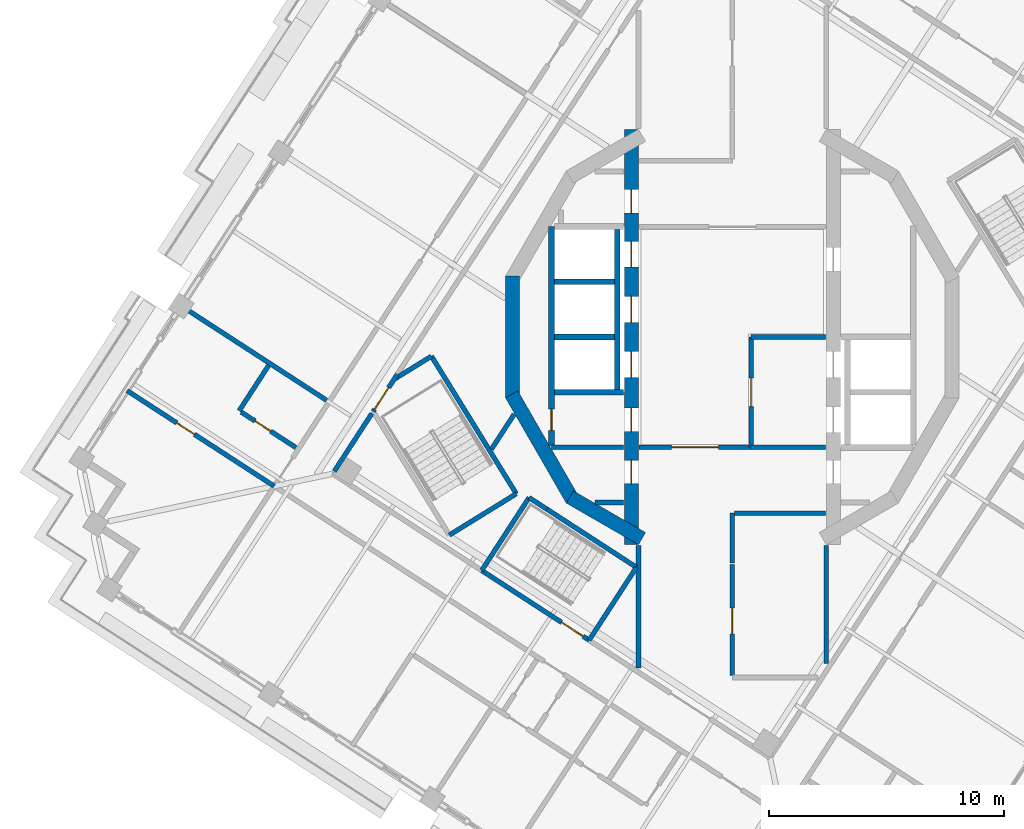
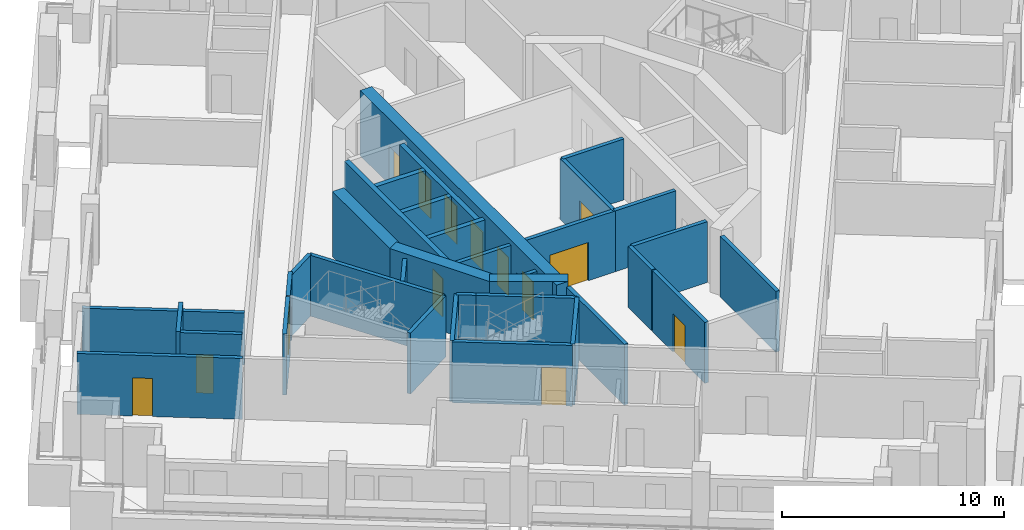
# One storey, part 5 of 15: 35 walls, 14 doors, 14 openings.
"""IFC4 building model written with IfcOpenShell, lengths in metres."""

from ifc_helpers import new_model, si_unit, direction, frame, frame_2d, origin, place, context, subcontext, project, spatial, rectangle, extrude, material, layer, layer_set, type_object, element, fill, save


model = new_model("IFC4")

# Units and contexts
model_context = context("Model", 3, precision=1e-05, world=origin(), true_north=direction((0.0, 1.0)))
body_context = subcontext(model_context, "Body", "Model", "MODEL_VIEW")
ifc_project = project(units=[si_unit("LENGTHUNIT", "METRE"), si_unit("AREAUNIT", "SQUARE_METRE"), si_unit("VOLUMEUNIT", "CUBIC_METRE"), si_unit("PLANEANGLEUNIT", "RADIAN"), si_unit("MASSUNIT", "GRAM", prefix="KILO")], contexts=[model_context])

# Site, building, storey
site_placement = place(None, origin())
site = spatial("IfcSite", under=ifc_project, at=site_placement, CompositionType="ELEMENT")
building_placement = place(site_placement, origin())
building = spatial("IfcBuilding", under=site, at=building_placement, Name="Cantera Rosa Tower", CompositionType="ELEMENT")
storey_placement = place(building_placement, frame((0.0, 0.0, 272.10009765625)))
storey = spatial("IfcBuildingStorey", under=building, at=storey_placement, Name="L61", CompositionType="ELEMENT", Elevation=272.10009765625)

# Walls
ifc_material_1 = material(Name="Gypsum board partition")
ifc_layer_1 = layer(ifc_material_1, 0.199951171875)
ifc_layer_set_1 = layer_set([ifc_layer_1], Name="CORRIDOR WALL 200 H3350")
wall_type_1 = type_object("IfcWallType", Name="CORRIDOR WALL 200 H3350", PredefinedType="PARTITIONING", material=ifc_layer_set_1)
wall_1_placement = place(storey_placement, frame((-15.349853515625, -3.256103515625, 0.0), z_axis=(0.0, 0.0, 1.0), x_axis=(-0.544576607641, -0.838711105453, 0.0)))
element("IfcWall", 1, at=wall_1_placement, inside=storey, type_object=wall_type_1, Name="CORRIDOR WALL L61-009", PredefinedType="PARTITIONING", context=body_context, shape_type="SweptSolid", body=[
    extrude(rectangle(XDim=2.939208984375, YDim=0.199951171875, at=frame_2d((1.4697265625, 0.0))), origin(), (0.0, 0.0, 1.0), 3.349853515625),
])
wall_2_placement = place(storey_placement, frame((-4.0, -14.09423828125, 0.0), z_axis=(0.0, 0.0, 1.0), x_axis=(0.0, 1.0, 0.0)))
element("IfcWall", 2, at=wall_2_placement, inside=storey, type_object=wall_type_1, Name="CORRIDOR WALL L61-043", PredefinedType="PARTITIONING", context=body_context, shape_type="SweptSolid", body=[
    extrude(rectangle(XDim=5.21533203125, YDim=0.199951171875, at=frame_2d((2.607666015625, 0.0))), origin(), (0.0, 0.0, 1.0), 3.349853515625),
])

# Wall, opening, door
wall_3_placement = place(storey_placement, frame((0.0, -9.689208984375, 0.0), z_axis=(0.0, 0.0, 1.0), x_axis=(0.0, -1.0, 0.0)))
wall_3 = element("IfcWall", 3, at=wall_3_placement, inside=storey, type_object=wall_type_1, Name="CORRIDOR WALL L61-055", PredefinedType="PARTITIONING", context=body_context, shape_type="SweptSolid", body=[
    extrude(rectangle(XDim=4.730712890625, YDim=0.199951171875, at=frame_2d((2.365234375, 0.0))), origin(), (0.0, 0.0, 1.0), 3.349853515625),
])
opening_1_placement = place(wall_3_placement, frame((1.85546875, 0.0, 0.0)))
opening_1 = element("IfcOpeningElement", 4, at=opening_1_placement, cuts=wall_3, Name="Opening L61-014", PredefinedType="OPENING", context=body_context, shape_type="SweptSolid", body=[
    extrude(rectangle(XDim=1.10009765625, YDim=2.10009765625, at=frame_2d((0.550048828125, 1.050048828125))), frame((0.0, 0.10986328125, 0.0), z_axis=(0.0, -1.0, 0.0), x_axis=(1.0, 0.0, 0.0)), (0.0, 0.0, 1.0), 0.219970703125),
])
ifc_material_2 = material(Name="Timber door leaf", Category="wood")
door_type_1 = type_object("IfcDoorType", Name="ROOM DOOR 1100x2100", OperationType="NOTDEFINED", PredefinedType="DOOR", material=ifc_material_2)
door_1_placement = place(opening_1_placement, origin())
door_1 = element("IfcDoor", 5, at=door_1_placement, inside=storey, type_object=door_type_1, Name="DOOR L61-014", OperationType="NOTDEFINED", OverallHeight=2.10009765625, OverallWidth=1.10009765625, PredefinedType="DOOR", context=body_context, shape_type="SweptSolid", body=[
    extrude(rectangle(XDim=1.10009765625, YDim=2.10009765625, at=frame_2d((0.550048828125, 1.050048828125))), frame((0.0, 0.02490234375, 0.0), z_axis=(0.0, -1.0, 0.0), x_axis=(1.0, 0.0, 0.0)), (0.0, 0.0, 1.0), 0.050048828125),
])
fill(opening_1, door_1)

# Wall
wall_4_placement = place(storey_placement, frame((0.0, -7.5, 0.0), z_axis=(0.0, 0.0, 1.0), x_axis=(0.0, -1.0, 0.0)))
element("IfcWall", 6, at=wall_4_placement, inside=storey, type_object=wall_type_1, Name="CORRIDOR WALL L61-056", PredefinedType="PARTITIONING", context=body_context, shape_type="SweptSolid", body=[
    extrude(rectangle(XDim=2.12939453125, YDim=0.199951171875, at=frame_2d((1.064697265625, 0.0))), origin(), (0.0, 0.0, 1.0), 3.349853515625),
])

# Wall, opening, door
wall_5_placement = place(storey_placement, frame((0.800048828125, -4.699951171875, 0.0), z_axis=(0.0, 0.0, 1.0), x_axis=(-1.0, 0.0, 0.0)))
wall_5 = element("IfcWall", 7, at=wall_5_placement, inside=storey, type_object=wall_type_1, Name="CORRIDOR WALL L61-060", PredefinedType="PARTITIONING", context=body_context, shape_type="SweptSolid", body=[
    extrude(rectangle(XDim=4.77001953125, YDim=0.199951171875, at=frame_2d((2.385009765625, 0.0))), origin(), (0.0, 0.0, 1.0), 3.349853515625),
])
opening_2_placement = place(wall_5_placement, frame((1.39990234375, 0.0, 0.0)))
opening_2 = element("IfcOpeningElement", 8, at=opening_2_placement, cuts=wall_5, Name="Opening L61-011", PredefinedType="OPENING", context=body_context, shape_type="SweptSolid", body=[
    extrude(rectangle(XDim=2.0, YDim=2.10009765625, at=frame_2d((1.0, 1.050048828125))), frame((0.0, 0.10986328125, 0.0), z_axis=(0.0, -1.0, 0.0), x_axis=(1.0, 0.0, 0.0)), (0.0, 0.0, 1.0), 0.219970703125),
])
ifc_material_3 = material(Name="Steel S355J2 (EN 10025-2)", Category="steel")
door_type_2 = type_object("IfcDoorType", Name="LOBBY SCREEN DOOR 2000x2100", OperationType="NOTDEFINED", PredefinedType="DOOR", material=ifc_material_3)
door_2_placement = place(opening_2_placement, origin())
door_2 = element("IfcDoor", 9, at=door_2_placement, inside=storey, type_object=door_type_2, Name="DOOR L61-011", OperationType="NOTDEFINED", OverallHeight=2.10009765625, OverallWidth=2.0, PredefinedType="DOOR", context=body_context, shape_type="SweptSolid", body=[
    extrude(rectangle(XDim=2.0, YDim=2.10009765625, at=frame_2d((1.0, 1.050048828125))), frame((0.0, 0.02490234375, 0.0), z_axis=(0.0, -1.0, 0.0), x_axis=(1.0, 0.0, 0.0)), (0.0, 0.0, 1.0), 0.050048828125),
])
fill(opening_2, door_2)

# Wall
wall_6_placement = place(storey_placement, frame((3.969970703125, -7.5, 0.0), z_axis=(0.0, 0.0, 1.0), x_axis=(-1.0, 0.0, 0.0)))
element("IfcWall", 10, at=wall_6_placement, inside=storey, type_object=wall_type_1, Name="CORRIDOR WALL L61-066", PredefinedType="PARTITIONING", context=body_context, shape_type="SweptSolid", body=[
    extrude(rectangle(XDim=3.869873046875, YDim=0.199951171875, at=frame_2d((1.93505859375, 0.0))), origin(), (0.0, 0.0, 1.0), 3.349853515625),
])

# Wall, opening, door
ifc_material_4 = material(Name="Gypsum board partition")
ifc_layer_2 = layer(ifc_material_4, 0.199951171875)
ifc_layer_set_2 = layer_set([ifc_layer_2], Name="PARTITION 200 H3350")
wall_type_2 = type_object("IfcWallType", Name="PARTITION 200 H3350", PredefinedType="PARTITIONING", material=ifc_layer_set_2)
wall_7_placement = place(storey_placement, frame((-25.770751953125, -2.282470703125, 0.0), z_axis=(0.0, 0.0, 1.0), x_axis=(0.838662331082, -0.544651718463, 0.0)))
wall_7 = element("IfcWall", 11, at=wall_7_placement, inside=storey, type_object=wall_type_2, Name="PARTITION L61-001", PredefinedType="PARTITIONING", context=body_context, shape_type="SweptSolid", body=[
    extrude(rectangle(XDim=7.47021484375, YDim=0.199951171875, at=frame_2d((3.735107421875, 0.0))), origin(), (0.0, 0.0, 1.0), 3.349853515625),
])
opening_3_placement = place(wall_7_placement, frame((2.52001953125, 0.0, 0.0)))
opening_3 = element("IfcOpeningElement", 12, at=opening_3_placement, cuts=wall_7, Name="Opening L61-031", PredefinedType="OPENING", context=body_context, shape_type="SweptSolid", body=[
    extrude(rectangle(XDim=0.89990234375, YDim=2.10009765625, at=frame_2d((0.449951171875, 1.050048828125))), frame((0.0, 0.10986328125, 0.0), z_axis=(0.0, -1.0, 0.0), x_axis=(1.0, 0.0, 0.0)), (0.0, 0.0, 1.0), 0.219970703125),
])
ifc_material_5 = material(Name="Timber door leaf", Category="wood")
door_type_3 = type_object("IfcDoorType", Name="ROOM DOOR 900x2100", OperationType="NOTDEFINED", PredefinedType="DOOR", material=ifc_material_5)
door_3_placement = place(opening_3_placement, origin())
door_3 = element("IfcDoor", 13, at=door_3_placement, inside=storey, type_object=door_type_3, Name="DOOR L61-031", OperationType="NOTDEFINED", OverallHeight=2.10009765625, OverallWidth=0.89990234375, PredefinedType="DOOR", context=body_context, shape_type="SweptSolid", body=[
    extrude(rectangle(XDim=0.89990234375, YDim=2.10009765625, at=frame_2d((0.449951171875, 1.050048828125))), frame((0.0, 0.02490234375, 0.0), z_axis=(0.0, -1.0, 0.0), x_axis=(1.0, 0.0, 0.0)), (0.0, 0.0, 1.0), 0.050048828125),
])
fill(opening_3, door_3)

# Wall
wall_8_placement = place(storey_placement, frame((-20.997802734375, -3.140380859375, 0.0), z_axis=(0.0, 0.0, 1.0), x_axis=(0.544566653292, 0.838717568745, 0.0)))
element("IfcWall", 14, at=wall_8_placement, inside=storey, type_object=wall_type_2, Name="PARTITION L61-002", PredefinedType="PARTITIONING", context=body_context, shape_type="SweptSolid", body=[
    extrude(rectangle(XDim=2.2998046875, YDim=0.199951171875, at=frame_2d((1.14990234375, 0.0))), origin(), (0.0, 0.0, 1.0), 3.349853515625),
])

# Wall, opening, door
wall_9_placement = place(storey_placement, frame((-18.58251953125, -4.708984375, 0.0), z_axis=(0.0, 0.0, 1.0), x_axis=(-0.838664250698, 0.5446487626, 0.0)))
wall_9 = element("IfcWall", 15, at=wall_9_placement, inside=storey, type_object=wall_type_2, Name="PARTITION L61-005", PredefinedType="PARTITIONING", context=body_context, shape_type="SweptSolid", body=[
    extrude(rectangle(XDim=2.780029296875, YDim=0.199951171875, at=frame_2d((1.39013671875, 0.0))), origin(), (0.0, 0.0, 1.0), 3.349853515625),
])
opening_4_placement = place(wall_9_placement, frame((1.280029296875, 0.0, 0.0)))
opening_4 = element("IfcOpeningElement", 16, at=opening_4_placement, cuts=wall_9, Name="Opening L61-030", PredefinedType="OPENING", context=body_context, shape_type="SweptSolid", body=[
    extrude(rectangle(XDim=0.800048828125, YDim=2.10009765625, at=frame_2d((0.39990234375, 1.050048828125))), frame((0.0, 0.10986328125, 0.0), z_axis=(0.0, -1.0, 0.0), x_axis=(1.0, 0.0, 0.0)), (0.0, 0.0, 1.0), 0.219970703125),
])
ifc_material_6 = material(Name="Timber door leaf", Category="wood")
door_type_4 = type_object("IfcDoorType", Name="BATHROOM DOOR 800x2100", OperationType="NOTDEFINED", PredefinedType="DOOR", material=ifc_material_6)
door_4_placement = place(opening_4_placement, origin())
door_4 = element("IfcDoor", 17, at=door_4_placement, inside=storey, type_object=door_type_4, Name="DOOR L61-030", OperationType="NOTDEFINED", OverallHeight=2.10009765625, OverallWidth=0.800048828125, PredefinedType="DOOR", context=body_context, shape_type="SweptSolid", body=[
    extrude(rectangle(XDim=0.800048828125, YDim=2.10009765625, at=frame_2d((0.39990234375, 1.050048828125))), frame((0.0, 0.02490234375, 0.0), z_axis=(0.0, -1.0, 0.0), x_axis=(1.0, 0.0, 0.0)), (0.0, 0.0, 1.0), 0.050048828125),
])
fill(opening_4, door_4)

# Walls
wall_10_placement = place(storey_placement, frame((-9.289794921875, -3.288330078125, 0.0), z_axis=(0.0, 0.0, 1.0), x_axis=(-0.544602939067, -0.838694007824, 0.0)))
element("IfcWall", 18, at=wall_10_placement, inside=storey, type_object=wall_type_2, Name="PARTITION L61-019", PredefinedType="PARTITIONING", context=body_context, shape_type="SweptSolid", body=[
    extrude(rectangle(XDim=1.781494140625, YDim=0.199951171875, at=frame_2d((0.890625, 0.0))), origin(), (0.0, 0.0, 1.0), 3.349853515625),
])
wall_11_placement = place(storey_placement, frame((-7.699951171875, -4.699951171875, 0.0), z_axis=(0.0, 0.0, 1.0), x_axis=(1.0, 0.0, 0.0)))
element("IfcWall", 19, at=wall_11_placement, inside=storey, type_object=wall_type_2, Name="PARTITION L61-026", PredefinedType="PARTITIONING", context=body_context, shape_type="SweptSolid", body=[
    extrude(rectangle(XDim=3.070068359375, YDim=0.199951171875, at=frame_2d((1.53515625, 0.0))), origin(), (0.0, 0.0, 1.0), 3.349853515625),
])
wall_12_placement = place(storey_placement, frame((-4.6298828125, -7.050048828125, 0.0), z_axis=(0.0, 0.0, 1.0), x_axis=(-1.0, 0.0, 0.0)))
element("IfcWall", 20, at=wall_12_placement, inside=storey, type_object=wall_type_2, Name="PARTITION L61-040", PredefinedType="PARTITIONING", context=body_context, shape_type="SweptSolid", body=[
    extrude(rectangle(XDim=1.2177734375, YDim=0.199951171875, at=frame_2d((0.60888671875, 0.0))), origin(), (0.0, 0.0, 1.0), 3.349853515625),
])
wall_13_placement = place(storey_placement, frame((4.0, -13.90087890625, 0.0), z_axis=(0.0, 0.0, 1.0), x_axis=(0.0, 1.0, 0.0)))
element("IfcWall", 21, at=wall_13_placement, inside=storey, type_object=wall_type_2, Name="PARTITION L61-068", PredefinedType="PARTITIONING", context=body_context, shape_type="SweptSolid", body=[
    extrude(rectangle(XDim=5.02197265625, YDim=0.199951171875, at=frame_2d((2.510986328125, 0.0))), origin(), (0.0, 0.0, 1.0), 3.349853515625),
])
ifc_material_7 = material(Name="Gypsum board partition")
ifc_layer_3 = layer(ifc_material_7, 0.199951171875)
ifc_layer_set_3 = layer_set([ifc_layer_3], Name="PARTY WALL 200 H2850")
wall_type_3 = type_object("IfcWallType", Name="PARTY WALL 200 H2850", PredefinedType="PARTITIONING", material=ifc_layer_set_3)
wall_14_placement = place(storey_placement, frame((-17.275390625, -2.696044921875, 0.0), z_axis=(0.0, 0.0, 1.0), x_axis=(-0.838684106336, 0.544618187155, 0.0)))
element("IfcWall", 22, at=wall_14_placement, inside=storey, type_object=wall_type_3, Name="PARTY WALL L61-006", PredefinedType="PARTITIONING", context=body_context, shape_type="SweptSolid", body=[
    extrude(rectangle(XDim=7.349853515625, YDim=0.199951171875, at=frame_2d((3.6748046875, 0.0))), origin(), (0.0, 0.0, 1.0), 2.849853515625),
])
ifc_material_8 = material(Name="Concrete C50/60", Category="concrete")
ifc_layer_4 = layer(ifc_material_8, 0.60009765625)
ifc_layer_set_4 = layer_set([ifc_layer_4], Name="RC CORE WALL 600 C50/60")
wall_type_4 = type_object("IfcWallType", Name="RC CORE WALL 600 C50/60", PredefinedType="SHEAR", material=ifc_layer_set_4)
wall_15_placement = place(storey_placement, frame((-3.85009765625, -8.584228515625, 0.0), z_axis=(0.0, 0.0, 1.0), x_axis=(-0.866039982607, 0.499974747889, 0.0)))
element("IfcWall", 23, at=wall_15_placement, inside=storey, type_object=wall_type_4, Name="CW-W1 L61", PredefinedType="SHEAR", context=body_context, shape_type="SweptSolid", body=[
    extrude(rectangle(XDim=3.546142578125, YDim=0.60009765625, at=frame_2d((1.77294921875, 0.0))), origin(), (0.0, 0.0, 1.0), 3.599853515625),
])
for number, where, z_axis, x_axis, name in (
    (24, (-6.811279296875, -6.921142578125, 0.0), (0.0, 0.0, 1.0), (-0.499989188378, 0.866031645787, 0.0), "CW-W2 L61"),
    (25, (-9.359375, -2.588134765625, 0.0), (0.0, 0.0, 1.0), (0.0, 1.0, 0.0), "CW-W3 L61"),
):
    element("IfcWall", number, at=place(storey_placement, frame(where, z_axis=z_axis, x_axis=x_axis)), inside=storey, type_object=wall_type_4, Name=name, PredefinedType="SHEAR", context=body_context, shape_type="SweptSolid", body=[
        extrude(rectangle(XDim=5.17626953125, YDim=0.60009765625, at=frame_2d((2.588134765625, 0.0))), origin(), (0.0, 0.0, 1.0), 3.599853515625),
    ])

# Wall, openings, doors
wall_16_placement = place(storey_placement, frame((-4.300048828125, 8.84423828125, 0.0), z_axis=(0.0, 0.0, 1.0), x_axis=(0.0, -1.0, 0.0)))
wall_16 = element("IfcWall", 26, at=wall_16_placement, inside=storey, type_object=wall_type_4, Name="CW-W6 L61", PredefinedType="SHEAR", context=body_context, shape_type="SweptSolid", body=[
    extrude(rectangle(XDim=17.6884765625, YDim=0.60009765625, at=frame_2d((8.84423828125, 0.0))), origin(), (0.0, 0.0, 1.0), 3.599853515625),
])
opening_5_placement = place(wall_16_placement, frame((9.468994140625, 0.0, 0.0)))
opening_5 = element("IfcOpeningElement", 27, at=opening_5_placement, cuts=wall_16, Name="Opening LD-H1-L61", PredefinedType="OPENING", context=body_context, shape_type="SweptSolid", body=[
    extrude(rectangle(XDim=1.10009765625, YDim=2.10009765625, at=frame_2d((0.550048828125, 1.050048828125))), frame((0.0, 0.31005859375, 0.0), z_axis=(0.0, -1.0, 0.0), x_axis=(1.0, 0.0, 0.0)), (0.0, 0.0, 1.0), 0.6201171875),
])
opening_6_placement = place(wall_16_placement, frame((7.119140625, 0.0, 0.0)))
opening_6 = element("IfcOpeningElement", 28, at=opening_6_placement, cuts=wall_16, Name="Opening LD-H2-L61", PredefinedType="OPENING", context=body_context, shape_type="SweptSolid", body=[
    extrude(rectangle(XDim=1.10009765625, YDim=2.10009765625, at=frame_2d((0.550048828125, 1.050048828125))), frame((0.0, 0.31005859375, 0.0), z_axis=(0.0, -1.0, 0.0), x_axis=(1.0, 0.0, 0.0)), (0.0, 0.0, 1.0), 0.6201171875),
])
opening_7_placement = place(wall_16_placement, frame((4.76904296875, 0.0, 0.0)))
opening_7 = element("IfcOpeningElement", 29, at=opening_7_placement, cuts=wall_16, Name="Opening LD-H3-L61", PredefinedType="OPENING", context=body_context, shape_type="SweptSolid", body=[
    extrude(rectangle(XDim=1.10009765625, YDim=2.10009765625, at=frame_2d((0.550048828125, 1.050048828125))), frame((0.0, 0.31005859375, 0.0), z_axis=(0.0, -1.0, 0.0), x_axis=(1.0, 0.0, 0.0)), (0.0, 0.0, 1.0), 0.6201171875),
])
opening_8_placement = place(wall_16_placement, frame((14.091552734375, 0.0, 0.0)))
opening_8 = element("IfcOpeningElement", 30, at=opening_8_placement, cuts=wall_16, Name="Opening SD-L61-15", PredefinedType="OPENING", context=body_context, shape_type="SweptSolid", body=[
    extrude(rectangle(XDim=1.0, YDim=2.10009765625, at=frame_2d((0.5, 1.050048828125))), frame((0.0, 0.31005859375, 0.0), z_axis=(0.0, -1.0, 0.0), x_axis=(1.0, 0.0, 0.0)), (0.0, 0.0, 1.0), 0.6201171875),
])
opening_9_placement = place(wall_16_placement, frame((2.572265625, 0.0, 0.0)))
opening_9 = element("IfcOpeningElement", 31, at=opening_9_placement, cuts=wall_16, Name="Opening SD-L61-16", PredefinedType="OPENING", context=body_context, shape_type="SweptSolid", body=[
    extrude(rectangle(XDim=1.0, YDim=2.10009765625, at=frame_2d((0.5, 1.050048828125))), frame((0.0, 0.31005859375, 0.0), z_axis=(0.0, -1.0, 0.0), x_axis=(1.0, 0.0, 0.0)), (0.0, 0.0, 1.0), 0.6201171875),
])
opening_10_placement = place(wall_16_placement, frame((11.869140625, 0.0, 0.0)))
opening_10 = element("IfcOpeningElement", 32, at=opening_10_placement, cuts=wall_16, Name="Opening SD-L61-17", PredefinedType="OPENING", context=body_context, shape_type="SweptSolid", body=[
    extrude(rectangle(XDim=1.0, YDim=2.10009765625, at=frame_2d((0.5, 1.050048828125))), frame((0.0, 0.31005859375, 0.0), z_axis=(0.0, -1.0, 0.0), x_axis=(1.0, 0.0, 0.0)), (0.0, 0.0, 1.0), 0.6201171875),
])
ifc_material_9 = material(Name="Steel S355J2 (EN 10025-2)", Category="steel")
door_type_5 = type_object("IfcDoorType", Name="LANDING DOOR 1100x2100", OperationType="NOTDEFINED", PredefinedType="DOOR", material=ifc_material_9)
door_5_placement = place(opening_5_placement, origin())
door_5 = element("IfcDoor", 33, at=door_5_placement, inside=storey, type_object=door_type_5, Name="LANDING DOOR H1 L61", OperationType="SLIDING_TO_LEFT", OverallHeight=2.10009765625, OverallWidth=1.10009765625, PredefinedType="DOOR", context=body_context, shape_type="SweptSolid", body=[
    extrude(rectangle(XDim=1.10009765625, YDim=2.10009765625, at=frame_2d((0.550048828125, 1.050048828125))), frame((0.0, 0.02490234375, 0.0), z_axis=(0.0, -1.0, 0.0), x_axis=(1.0, 0.0, 0.0)), (0.0, 0.0, 1.0), 0.050048828125),
])
fill(opening_5, door_5)
door_6_placement = place(opening_6_placement, origin())
door_6 = element("IfcDoor", 34, at=door_6_placement, inside=storey, type_object=door_type_5, Name="LANDING DOOR H2 L61", OperationType="SLIDING_TO_LEFT", OverallHeight=2.10009765625, OverallWidth=1.10009765625, PredefinedType="DOOR", context=body_context, shape_type="SweptSolid", body=[
    extrude(rectangle(XDim=1.10009765625, YDim=2.10009765625, at=frame_2d((0.550048828125, 1.050048828125))), frame((0.0, 0.02490234375, 0.0), z_axis=(0.0, -1.0, 0.0), x_axis=(1.0, 0.0, 0.0)), (0.0, 0.0, 1.0), 0.050048828125),
])
fill(opening_6, door_6)
door_7_placement = place(opening_7_placement, origin())
door_7 = element("IfcDoor", 35, at=door_7_placement, inside=storey, type_object=door_type_5, Name="LANDING DOOR H3 L61", OperationType="SLIDING_TO_LEFT", OverallHeight=2.10009765625, OverallWidth=1.10009765625, PredefinedType="DOOR", context=body_context, shape_type="SweptSolid", body=[
    extrude(rectangle(XDim=1.10009765625, YDim=2.10009765625, at=frame_2d((0.550048828125, 1.050048828125))), frame((0.0, 0.02490234375, 0.0), z_axis=(0.0, -1.0, 0.0), x_axis=(1.0, 0.0, 0.0)), (0.0, 0.0, 1.0), 0.050048828125),
])
fill(opening_7, door_7)
ifc_material_10 = material(Name="Timber door leaf", Category="wood")
door_type_6 = type_object("IfcDoorType", Name="SERVICE DOOR 1000x2100", OperationType="NOTDEFINED", PredefinedType="DOOR", material=ifc_material_10)
door_8_placement = place(opening_8_placement, origin())
door_8 = element("IfcDoor", 36, at=door_8_placement, inside=storey, type_object=door_type_6, Name="DOOR L61-SD15", OperationType="NOTDEFINED", OverallHeight=2.10009765625, OverallWidth=1.0, PredefinedType="DOOR", context=body_context, shape_type="SweptSolid", body=[
    extrude(rectangle(XDim=1.0, YDim=2.10009765625, at=frame_2d((0.5, 1.050048828125))), frame((0.0, 0.02490234375, 0.0), z_axis=(0.0, -1.0, 0.0), x_axis=(1.0, 0.0, 0.0)), (0.0, 0.0, 1.0), 0.050048828125),
])
fill(opening_8, door_8)
door_9_placement = place(opening_9_placement, origin())
door_9 = element("IfcDoor", 37, at=door_9_placement, inside=storey, type_object=door_type_6, Name="DOOR L61-SD16", OperationType="NOTDEFINED", OverallHeight=2.10009765625, OverallWidth=1.0, PredefinedType="DOOR", context=body_context, shape_type="SweptSolid", body=[
    extrude(rectangle(XDim=1.0, YDim=2.10009765625, at=frame_2d((0.5, 1.050048828125))), frame((0.0, 0.02490234375, 0.0), z_axis=(0.0, -1.0, 0.0), x_axis=(1.0, 0.0, 0.0)), (0.0, 0.0, 1.0), 0.050048828125),
])
fill(opening_9, door_9)
door_10_placement = place(opening_10_placement, origin())
door_10 = element("IfcDoor", 38, at=door_10_placement, inside=storey, type_object=door_type_6, Name="DOOR L61-SD17", OperationType="NOTDEFINED", OverallHeight=2.10009765625, OverallWidth=1.0, PredefinedType="DOOR", context=body_context, shape_type="SweptSolid", body=[
    extrude(rectangle(XDim=1.0, YDim=2.10009765625, at=frame_2d((0.5, 1.050048828125))), frame((0.0, 0.02490234375, 0.0), z_axis=(0.0, -1.0, 0.0), x_axis=(1.0, 0.0, 0.0)), (0.0, 0.0, 1.0), 0.050048828125),
])
fill(opening_10, door_10)

# Walls
ifc_material_11 = material(Name="Masonry blockwork", Category="masonry")
ifc_layer_5 = layer(ifc_material_11, 0.25)
ifc_layer_set_5 = layer_set([ifc_layer_5], Name="SHAFT WALL 250 H3350")
wall_type_5 = type_object("IfcWallType", Name="SHAFT WALL 250 H3350", PredefinedType="SOLIDWALL", material=ifc_layer_set_5)
for number, where, z_axis, x_axis, name in (
    (39, (-7.574951171875, 0.0, 0.0), (0.0, 0.0, 1.0), (1.0, 0.0, 0.0), "SHAFT WALL L61-027"),
    (40, (-7.574951171875, 2.35009765625, 0.0), (0.0, 0.0, 1.0), (1.0, 0.0, 0.0), "SHAFT WALL L61-028"),
):
    element("IfcWall", number, at=place(storey_placement, frame(where, z_axis=z_axis, x_axis=x_axis)), inside=storey, type_object=wall_type_5, Name=name, PredefinedType="SOLIDWALL", context=body_context, shape_type="SweptSolid", body=[
        extrude(rectangle(XDim=2.554931640625, YDim=0.25, at=frame_2d((1.27734375, 0.0))), origin(), (0.0, 0.0, 1.0), 3.349853515625),
    ])

# Wall, opening, door
wall_17_placement = place(storey_placement, frame((-7.699951171875, 4.699951171875, 0.0), z_axis=(0.0, 0.0, 1.0), x_axis=(0.0, -1.0, 0.0)))
wall_17 = element("IfcWall", 41, at=wall_17_placement, inside=storey, type_object=wall_type_5, Name="SHAFT WALL L61-029", PredefinedType="SOLIDWALL", context=body_context, shape_type="SweptSolid", body=[
    extrude(rectangle(XDim=9.320068359375, YDim=0.25, at=frame_2d((4.66015625, 0.0))), origin(), (0.0, 0.0, 1.0), 3.349853515625),
])
opening_11_placement = place(wall_17_placement, frame((7.7705078125, 0.0, 0.0)))
opening_11 = element("IfcOpeningElement", 42, at=opening_11_placement, cuts=wall_17, Name="Opening L61-053", PredefinedType="OPENING", context=body_context, shape_type="SweptSolid", body=[
    extrude(rectangle(XDim=0.89990234375, YDim=2.10009765625, at=frame_2d((0.449951171875, 1.050048828125))), frame((0.0, 0.135009765625, 0.0), z_axis=(0.0, -1.0, 0.0), x_axis=(1.0, 0.0, 0.0)), (0.0, 0.0, 1.0), 0.27001953125),
])
ifc_material_12 = material(Name="Timber door leaf", Category="wood")
door_type_7 = type_object("IfcDoorType", Name="SERVICE DOOR 900x2100", OperationType="NOTDEFINED", PredefinedType="DOOR", material=ifc_material_12)
door_11_placement = place(opening_11_placement, origin())
door_11 = element("IfcDoor", 43, at=door_11_placement, inside=storey, type_object=door_type_7, Name="RISER DOOR L61-053", OperationType="NOTDEFINED", OverallHeight=2.10009765625, OverallWidth=0.89990234375, PredefinedType="DOOR", context=body_context, shape_type="SweptSolid", body=[
    extrude(rectangle(XDim=0.89990234375, YDim=2.10009765625, at=frame_2d((0.449951171875, 1.050048828125))), frame((0.0, 0.02490234375, 0.0), z_axis=(0.0, -1.0, 0.0), x_axis=(1.0, 0.0, 0.0)), (0.0, 0.0, 1.0), 0.050048828125),
])
fill(opening_11, door_11)

# Walls
wall_18_placement = place(storey_placement, frame((-4.89990234375, -2.22509765625, 0.0), z_axis=(0.0, 0.0, 1.0), x_axis=(0.0, 1.0, 0.0)))
element("IfcWall", 44, at=wall_18_placement, inside=storey, type_object=wall_type_5, Name="SHAFT WALL L61-039", PredefinedType="SOLIDWALL", context=body_context, shape_type="SweptSolid", body=[
    extrude(rectangle(XDim=6.800048828125, YDim=0.25, at=frame_2d((3.39990234375, 0.0))), origin(), (0.0, 0.0, 1.0), 3.349853515625),
])
wall_19_placement = place(storey_placement, frame((-4.6298828125, -2.35009765625, 0.0), z_axis=(0.0, 0.0, 1.0), x_axis=(-1.0, 0.0, 0.0)))
element("IfcWall", 45, at=wall_19_placement, inside=storey, type_object=wall_type_5, Name="SHAFT WALL L61-041", PredefinedType="SOLIDWALL", context=body_context, shape_type="SweptSolid", body=[
    extrude(rectangle(XDim=2.945068359375, YDim=0.25, at=frame_2d((1.47265625, 0.0))), origin(), (0.0, 0.0, 1.0), 3.349853515625),
])

# Wall, opening, door
ifc_material_13 = material(Name="Concrete C50/60", Category="concrete")
ifc_layer_6 = layer(ifc_material_13, 0.199951171875)
ifc_layer_set_6 = layer_set([ifc_layer_6], Name="STAIR WALL 200 H3350")
wall_type_6 = type_object("IfcWallType", Name="STAIR WALL 200 H3350", PredefinedType="SOLIDWALL", material=ifc_layer_set_6)
wall_20_placement = place(storey_placement, frame((-14.268310546875, -1.5908203125, 0.0), z_axis=(0.0, 0.0, 1.0), x_axis=(-0.544651565877, -0.838662430176, 0.0)))
wall_20 = element("IfcWall", 46, at=wall_20_placement, inside=storey, type_object=wall_type_6, Name="STAIR WALL L61-010", PredefinedType="SOLIDWALL", context=body_context, shape_type="SweptSolid", body=[
    extrude(rectangle(XDim=1.8857421875, YDim=0.199951171875, at=frame_2d((0.94287109375, 0.0))), origin(), (0.0, 0.0, 1.0), 3.349853515625),
])
opening_12_placement = place(wall_20_placement, frame((0.6689453125, 0.0, 0.0)))
opening_12 = element("IfcOpeningElement", 47, at=opening_12_placement, cuts=wall_20, Name="Opening L61-002", PredefinedType="OPENING", context=body_context, shape_type="SweptSolid", body=[
    extrude(rectangle(XDim=1.10009765625, YDim=2.10009765625, at=frame_2d((0.550048828125, 1.050048828125))), frame((0.0, 0.10986328125, 0.0), z_axis=(0.0, -1.0, 0.0), x_axis=(1.0, 0.0, 0.0)), (0.0, 0.0, 1.0), 0.219970703125),
])
ifc_material_14 = material(Name="Steel S355J2 (EN 10025-2)", Category="steel")
door_type_8 = type_object("IfcDoorType", Name="STAIR DOOR 1100x2100", OperationType="NOTDEFINED", PredefinedType="DOOR", material=ifc_material_14)
door_12_placement = place(opening_12_placement, origin())
door_12 = element("IfcDoor", 48, at=door_12_placement, inside=storey, type_object=door_type_8, Name="DOOR L61-002", OperationType="NOTDEFINED", OverallHeight=2.10009765625, OverallWidth=1.10009765625, PredefinedType="DOOR", context=body_context, shape_type="SweptSolid", body=[
    extrude(rectangle(XDim=1.10009765625, YDim=2.10009765625, at=frame_2d((0.550048828125, 1.050048828125))), frame((0.0, 0.02490234375, 0.0), z_axis=(0.0, -1.0, 0.0), x_axis=(1.0, 0.0, 0.0)), (0.0, 0.0, 1.0), 0.050048828125),
])
fill(opening_12, door_12)

# Walls
wall_21_placement = place(storey_placement, frame((-12.811279296875, -0.818359375, 0.0), z_axis=(0.0, 0.0, 1.0), x_axis=(-0.851125244186, -0.524962683158, 0.0)))
element("IfcWall", 49, at=wall_21_placement, inside=storey, type_object=wall_type_6, Name="STAIR WALL L61-012", PredefinedType="SOLIDWALL", context=body_context, shape_type="SweptSolid", body=[
    extrude(rectangle(XDim=1.872802734375, YDim=0.199951171875, at=frame_2d((0.9365234375, 0.0))), origin(), (0.0, 0.0, 1.0), 3.349853515625),
])
wall_22_placement = place(storey_placement, frame((-10.67138671875, -9.94189453125, 0.0), z_axis=(0.0, 0.0, 1.0), x_axis=(0.544677727046, 0.838645439778, 0.0)))
element("IfcWall", 50, at=wall_22_placement, inside=storey, type_object=wall_type_6, Name="STAIR WALL L61-016", PredefinedType="SOLIDWALL", context=body_context, shape_type="SweptSolid", body=[
    extrude(rectangle(XDim=3.702392578125, YDim=0.199951171875, at=frame_2d((1.85107421875, 0.0))), origin(), (0.0, 0.0, 1.0), 3.349853515625),
])

# Wall, opening, door
wall_23_placement = place(storey_placement, frame((-10.67138671875, -9.94189453125, 0.0), z_axis=(0.0, 0.0, 1.0), x_axis=(0.838674843592, -0.544632451041, 0.0)))
wall_23 = element("IfcWall", 51, at=wall_23_placement, inside=storey, type_object=wall_type_6, Name="STAIR WALL L61-017", PredefinedType="SOLIDWALL", context=body_context, shape_type="SweptSolid", body=[
    extrude(rectangle(XDim=5.449951171875, YDim=0.199951171875, at=frame_2d((2.72509765625, 0.0))), origin(), (0.0, 0.0, 1.0), 3.349853515625),
])
opening_13_placement = place(wall_23_placement, frame((4.050048828125, 0.0, 0.0)))
opening_13 = element("IfcOpeningElement", 52, at=opening_13_placement, cuts=wall_23, Name="Opening L61-003", PredefinedType="OPENING", context=body_context, shape_type="SweptSolid", body=[
    extrude(rectangle(XDim=1.10009765625, YDim=2.10009765625, at=frame_2d((0.550048828125, 1.050048828125))), frame((0.0, 0.10986328125, 0.0), z_axis=(0.0, -1.0, 0.0), x_axis=(1.0, 0.0, 0.0)), (0.0, 0.0, 1.0), 0.219970703125),
])
door_13_placement = place(opening_13_placement, origin())
door_13 = element("IfcDoor", 53, at=door_13_placement, inside=storey, type_object=door_type_8, Name="DOOR L61-003", OperationType="NOTDEFINED", OverallHeight=2.10009765625, OverallWidth=1.10009765625, PredefinedType="DOOR", context=body_context, shape_type="SweptSolid", body=[
    extrude(rectangle(XDim=1.10009765625, YDim=2.10009765625, at=frame_2d((0.550048828125, 1.050048828125))), frame((0.0, 0.02490234375, 0.0), z_axis=(0.0, -1.0, 0.0), x_axis=(1.0, 0.0, 0.0)), (0.0, 0.0, 1.0), 0.050048828125),
])
fill(opening_13, door_13)

# Walls
wall_24_placement = place(storey_placement, frame((-9.199462890625, -6.674072265625, 0.0), z_axis=(0.0, 0.0, 1.0), x_axis=(-0.524972254536, 0.851119340614, 0.0)))
element("IfcWall", 54, at=wall_24_placement, inside=storey, type_object=wall_type_6, Name="STAIR WALL L61-020", PredefinedType="SOLIDWALL", context=body_context, shape_type="SweptSolid", body=[
    extrude(rectangle(XDim=6.880126953125, YDim=0.199951171875, at=frame_2d((3.43994140625, 0.0))), origin(), (0.0, 0.0, 1.0), 3.349853515625),
])
wall_25_placement = place(storey_placement, frame((-9.199462890625, -6.674072265625, 0.0), z_axis=(0.0, 0.0, 1.0), x_axis=(-0.85113993661, -0.524938861495, 0.0)))
element("IfcWall", 55, at=wall_25_placement, inside=storey, type_object=wall_type_6, Name="STAIR WALL L61-021", PredefinedType="SOLIDWALL", context=body_context, shape_type="SweptSolid", body=[
    extrude(rectangle(XDim=3.35009765625, YDim=0.199951171875, at=frame_2d((1.675048828125, 0.0))), origin(), (0.0, 0.0, 1.0), 3.349853515625),
])
wall_26_placement = place(storey_placement, frame((-8.65478515625, -6.8369140625, 0.0), z_axis=(0.0, 0.0, 1.0), x_axis=(0.838666637781, -0.54464508689, 0.0)))
element("IfcWall", 56, at=wall_26_placement, inside=storey, type_object=wall_type_6, Name="STAIR WALL L61-024", PredefinedType="SOLIDWALL", context=body_context, shape_type="SweptSolid", body=[
    extrude(rectangle(XDim=0.900146484375, YDim=0.199951171875, at=frame_2d((0.4501953125, 0.0))), origin(), (0.0, 0.0, 1.0), 3.349853515625),
])
wall_27_placement = place(storey_placement, frame((-4.083984375, -9.80517578125, 0.0), z_axis=(0.0, 0.0, 1.0), x_axis=(-0.544677727046, -0.838645439778, 0.0)))
element("IfcWall", 57, at=wall_27_placement, inside=storey, type_object=wall_type_6, Name="STAIR WALL L61-042", PredefinedType="SOLIDWALL", context=body_context, shape_type="SweptSolid", body=[
    extrude(rectangle(XDim=3.702392578125, YDim=0.199951171875, at=frame_2d((1.85107421875, 0.0))), origin(), (0.0, 0.0, 1.0), 3.349853515625),
])

# Wall, opening, door
wall_28_placement = place(storey_placement, frame((0.800048828125, -4.699951171875, 0.0), z_axis=(0.0, 0.0, 1.0), x_axis=(0.0, 1.0, 0.0)))
wall_28 = element("IfcWall", 58, at=wall_28_placement, inside=storey, type_object=wall_type_6, Name="STAIR WALL L61-061", PredefinedType="SOLIDWALL", context=body_context, shape_type="SweptSolid", body=[
    extrude(rectangle(XDim=4.699951171875, YDim=0.199951171875, at=frame_2d((2.35009765625, 0.0))), origin(), (0.0, 0.0, 1.0), 3.349853515625),
])
opening_14_placement = place(wall_28_placement, frame((1.75, 0.0, 0.0)))
opening_14 = element("IfcOpeningElement", 59, at=opening_14_placement, cuts=wall_28, Name="Opening L61-012", PredefinedType="OPENING", context=body_context, shape_type="SweptSolid", body=[
    extrude(rectangle(XDim=1.199951171875, YDim=2.10009765625, at=frame_2d((0.60009765625, 1.050048828125))), frame((0.0, 0.10986328125, 0.0), z_axis=(0.0, -1.0, 0.0), x_axis=(1.0, 0.0, 0.0)), (0.0, 0.0, 1.0), 0.219970703125),
])
ifc_material_15 = material(Name="Steel S355J2 (EN 10025-2)", Category="steel")
door_type_9 = type_object("IfcDoorType", Name="FIRE DOOR 1200x2100", OperationType="NOTDEFINED", PredefinedType="DOOR", material=ifc_material_15)
door_14_placement = place(opening_14_placement, origin())
door_14 = element("IfcDoor", 60, at=door_14_placement, inside=storey, type_object=door_type_9, Name="DOOR L61-012", OperationType="NOTDEFINED", OverallHeight=2.10009765625, OverallWidth=1.199951171875, PredefinedType="DOOR", context=body_context, shape_type="SweptSolid", body=[
    extrude(rectangle(XDim=1.199951171875, YDim=2.10009765625, at=frame_2d((0.60009765625, 1.050048828125))), frame((0.0, 0.02490234375, 0.0), z_axis=(0.0, -1.0, 0.0), x_axis=(1.0, 0.0, 0.0)), (0.0, 0.0, 1.0), 0.050048828125),
])
fill(opening_14, door_14)

# Walls
for number, where, z_axis, x_axis, name in (
    (61, (0.800048828125, 0.0, 0.0), (0.0, 0.0, 1.0), (1.0, 0.0, 0.0), "STAIR WALL L61-062"),
    (62, (3.969970703125, -4.699951171875, 0.0), (0.0, 0.0, 1.0), (-1.0, 0.0, 0.0), "STAIR WALL L61-067"),
):
    element("IfcWall", number, at=place(storey_placement, frame(where, z_axis=z_axis, x_axis=x_axis)), inside=storey, type_object=wall_type_6, Name=name, PredefinedType="SOLIDWALL", context=body_context, shape_type="SweptSolid", body=[
        extrude(rectangle(XDim=3.169921875, YDim=0.199951171875, at=frame_2d((1.5849609375, 0.0))), origin(), (0.0, 0.0, 1.0), 3.349853515625),
    ])
wall_29_placement = place(storey_placement, frame((-7.89990234375, -7.3271484375, 0.0), z_axis=(0.0, 0.0, 1.0), x_axis=(0.8386764669, -0.544629951314, 0.0)))
element("IfcWall", 63, at=wall_29_placement, inside=storey, type_object=wall_type_6, Name="STAIR WALL L61-024 J", PredefinedType="SOLIDWALL", context=body_context, shape_type="SweptSolid", body=[
    extrude(rectangle(XDim=4.550048828125, YDim=0.199951171875, at=frame_2d((2.27490234375, 0.0))), origin(), (0.0, 0.0, 1.0), 3.349853515625),
])

save(model, "model.ifc")
